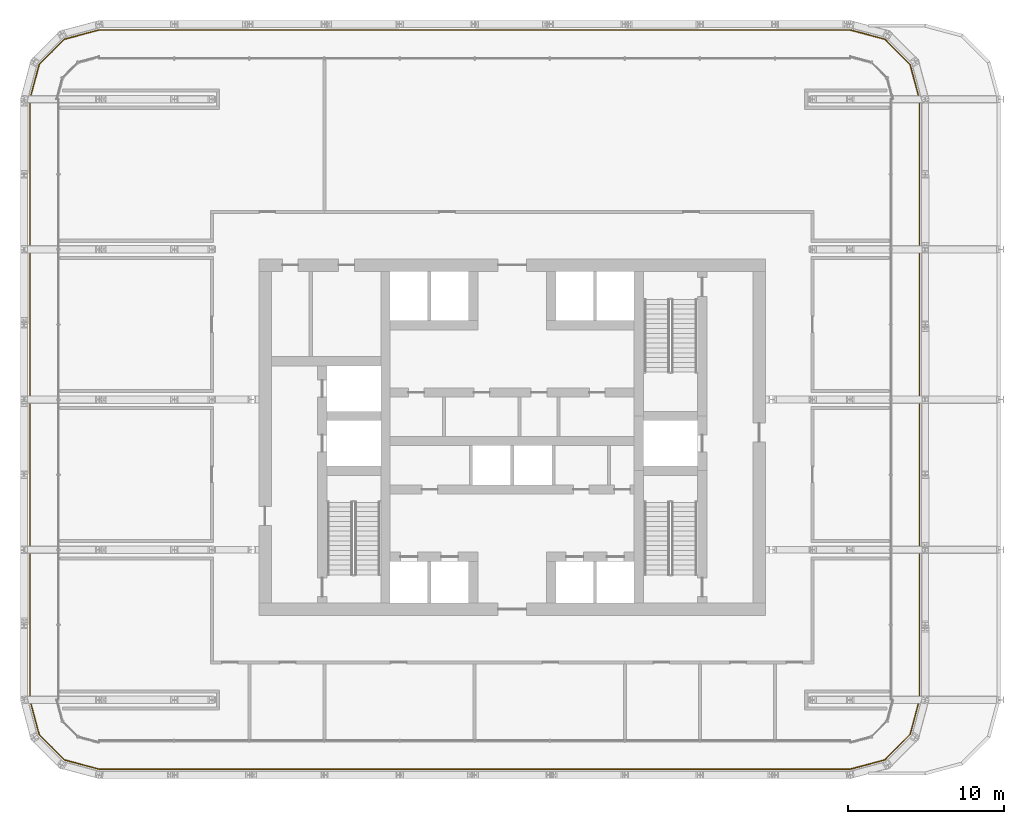
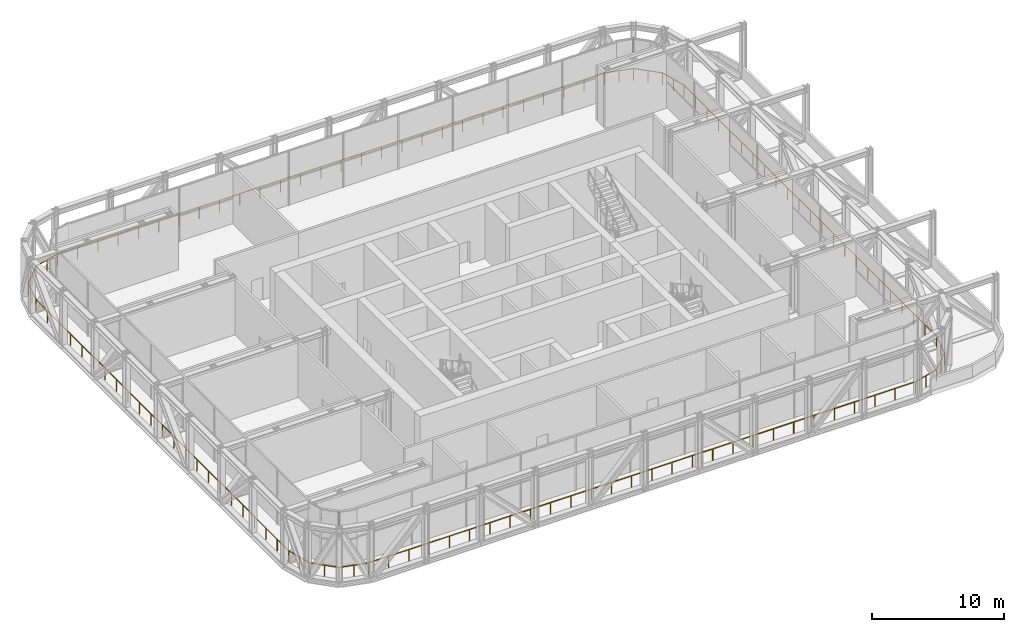
# One storey, part 21 of 25: 2 railings.
"""IFC4 building model written with IfcOpenShell, lengths in metres."""

from ifc_helpers import new_model, si_unit, direction, frame, origin, origin_2d, place, context, subcontext, project, spatial, circle, extrude, material, type_object, element, save


model = new_model("IFC4")

# Units and contexts
model_context = context("Model", 3, precision=1e-05, world=origin(), true_north=direction((0.0, 1.0)))
body_context = subcontext(model_context, "Body", "Model", "MODEL_VIEW")
ifc_project = project(units=[si_unit("LENGTHUNIT", "METRE"), si_unit("AREAUNIT", "SQUARE_METRE"), si_unit("VOLUMEUNIT", "CUBIC_METRE"), si_unit("PLANEANGLEUNIT", "RADIAN"), si_unit("MASSUNIT", "GRAM", prefix="KILO")], contexts=[model_context])

# Site, building, storey
site_placement = place(None, origin())
site = spatial("IfcSite", under=ifc_project, at=site_placement, CompositionType="ELEMENT")
building_placement = place(site_placement, origin())
building = spatial("IfcBuilding", under=site, at=building_placement, Name="Madar Terraces", CompositionType="ELEMENT")
storey_placement = place(building_placement, frame((0.0, 0.0, 113.699951171875)))
storey = spatial("IfcBuildingStorey", under=building, at=storey_placement, Name="L29", CompositionType="ELEMENT", Elevation=113.699951171875)

# Railings
ifc_material = material(Name="Glass, safety glazing, with stainless steel posts", Category="steel")
railing_type = type_object("IfcRailingType", Name="Balcony glass guard 1100", PredefinedType="GUARDRAIL", material=ifc_material)
railing_1_placement = place(storey_placement, frame((52.800048828125, 5.1708984375, 0.0)))
element("IfcRailing", 1, at=railing_1_placement, inside=storey, type_object=railing_type, Name="Gallery guard", PredefinedType="GUARDRAIL", context=body_context, shape_type="SweptSolid", body=[
    extrude(circle(Radius=0.02392578125, at=origin_2d()), frame((0.0, 0.0, 1.076171875), z_axis=(0.965907165247, 0.25888867902, 0.0), x_axis=(-0.25888867902, 0.965907165247, 0.0)), (0.0, 0.0, 1.0), 2.29248046875),
    extrude(circle(Radius=0.02392578125, at=origin_2d()), frame((2.21435546875, 0.593505859375, 1.076171875), z_axis=(0.707106781187, 0.707106781187, 0.0), x_axis=(-0.707106781187, 0.707106781187, 0.0)), (0.0, 0.0, 1.0), 2.29248046875),
    extrude(circle(Radius=0.02392578125, at=origin_2d()), frame((3.83544921875, 2.214599609375, 1.076171875), z_axis=(0.258862051331, 0.965914301779, 0.0), x_axis=(-0.965914301779, 0.258862051331, 0.0)), (0.0, 0.0, 1.0), 2.292724609375),
    extrude(circle(Radius=0.02392578125, at=origin_2d()), frame((4.428955078125, 4.42919921875, 1.076171875), z_axis=(0.0, 1.0, 0.0), x_axis=(-1.0, 0.0, 0.0)), (0.0, 0.0, 1.0), 38.39990234375),
    extrude(circle(Radius=0.02392578125, at=origin_2d()), frame((4.428955078125, 42.8291015625, 1.076171875), z_axis=(-0.258862051331, 0.965914301779, 0.0), x_axis=(-0.965914301779, -0.258862051331, 0.0)), (0.0, 0.0, 1.0), 2.292724609375),
    extrude(circle(Radius=0.02392578125, at=origin_2d()), frame((3.83544921875, 45.043701171875, 1.076171875), z_axis=(-0.707106781187, 0.707106781187, 0.0), x_axis=(-0.707106781187, -0.707106781187, 0.0)), (0.0, 0.0, 1.0), 2.29248046875),
    extrude(circle(Radius=0.02392578125, at=origin_2d()), frame((2.21435546875, 46.664794921875, 1.076171875), z_axis=(-0.9659337912, 0.258789317819, 0.0), x_axis=(-0.258789317819, -0.9659337912, 0.0)), (0.0, 0.0, 1.0), 2.29248046875),
    extrude(circle(Radius=0.02392578125, at=origin_2d()), frame((0.0, 47.258056640625, 1.076171875), z_axis=(-1.0, 0.0, 0.0), x_axis=(0.0, -1.0, 0.0)), (0.0, 0.0, 1.0), 48.0),
    extrude(circle(Radius=0.02099609375, at=origin_2d()), origin(), (0.0, 0.0, 1.0), 1.052001953125),
    extrude(circle(Radius=0.02099609375, at=origin_2d()), frame((1.107177734375, 0.296875, 0.0)), (0.0, 0.0, 1.0), 1.052001953125),
    extrude(circle(Radius=0.02099609375, at=origin_2d()), frame((2.21435546875, 0.593505859375, 0.0)), (0.0, 0.0, 1.0), 1.052001953125),
    extrude(circle(Radius=0.02099609375, at=origin_2d()), frame((3.02490234375, 1.404052734375, 0.0)), (0.0, 0.0, 1.0), 1.052001953125),
    extrude(circle(Radius=0.02099609375, at=origin_2d()), frame((3.83544921875, 2.214599609375, 0.0)), (0.0, 0.0, 1.0), 1.052001953125),
    extrude(circle(Radius=0.02099609375, at=origin_2d()), frame((4.13232421875, 3.32177734375, 0.0)), (0.0, 0.0, 1.0), 1.052001953125),
    extrude(circle(Radius=0.02099609375, at=origin_2d()), frame((4.428955078125, 4.42919921875, 0.0)), (0.0, 0.0, 1.0), 1.052001953125),
    extrude(circle(Radius=0.02099609375, at=origin_2d()), frame((4.428955078125, 6.174560546875, 0.0)), (0.0, 0.0, 1.0), 1.052001953125),
    extrude(circle(Radius=0.02099609375, at=origin_2d()), frame((4.428955078125, 7.920166015625, 0.0)), (0.0, 0.0, 1.0), 1.052001953125),
    extrude(circle(Radius=0.02099609375, at=origin_2d()), frame((4.428955078125, 9.66552734375, 0.0)), (0.0, 0.0, 1.0), 1.052001953125),
    extrude(circle(Radius=0.02099609375, at=origin_2d()), frame((4.428955078125, 11.410888671875, 0.0)), (0.0, 0.0, 1.0), 1.052001953125),
    extrude(circle(Radius=0.02099609375, at=origin_2d()), frame((4.428955078125, 13.156494140625, 0.0)), (0.0, 0.0, 1.0), 1.052001953125),
    extrude(circle(Radius=0.02099609375, at=origin_2d()), frame((4.428955078125, 14.90185546875, 0.0)), (0.0, 0.0, 1.0), 1.052001953125),
    extrude(circle(Radius=0.02099609375, at=origin_2d()), frame((4.428955078125, 16.6474609375, 0.0)), (0.0, 0.0, 1.0), 1.052001953125),
    extrude(circle(Radius=0.02099609375, at=origin_2d()), frame((4.428955078125, 18.392822265625, 0.0)), (0.0, 0.0, 1.0), 1.052001953125),
    extrude(circle(Radius=0.02099609375, at=origin_2d()), frame((4.428955078125, 20.13818359375, 0.0)), (0.0, 0.0, 1.0), 1.052001953125),
    extrude(circle(Radius=0.02099609375, at=origin_2d()), frame((4.428955078125, 21.8837890625, 0.0)), (0.0, 0.0, 1.0), 1.052001953125),
    extrude(circle(Radius=0.02099609375, at=origin_2d()), frame((4.428955078125, 23.629150390625, 0.0)), (0.0, 0.0, 1.0), 1.052001953125),
    extrude(circle(Radius=0.02099609375, at=origin_2d()), frame((4.428955078125, 25.37451171875, 0.0)), (0.0, 0.0, 1.0), 1.052001953125),
    extrude(circle(Radius=0.02099609375, at=origin_2d()), frame((4.428955078125, 27.1201171875, 0.0)), (0.0, 0.0, 1.0), 1.052001953125),
    extrude(circle(Radius=0.02099609375, at=origin_2d()), frame((4.428955078125, 28.865478515625, 0.0)), (0.0, 0.0, 1.0), 1.052001953125),
    extrude(circle(Radius=0.02099609375, at=origin_2d()), frame((4.428955078125, 30.61083984375, 0.0)), (0.0, 0.0, 1.0), 1.052001953125),
    extrude(circle(Radius=0.02099609375, at=origin_2d()), frame((4.428955078125, 32.3564453125, 0.0)), (0.0, 0.0, 1.0), 1.052001953125),
    extrude(circle(Radius=0.02099609375, at=origin_2d()), frame((4.428955078125, 34.101806640625, 0.0)), (0.0, 0.0, 1.0), 1.052001953125),
    extrude(circle(Radius=0.02099609375, at=origin_2d()), frame((4.428955078125, 35.847412109375, 0.0)), (0.0, 0.0, 1.0), 1.052001953125),
    extrude(circle(Radius=0.02099609375, at=origin_2d()), frame((4.428955078125, 37.5927734375, 0.0)), (0.0, 0.0, 1.0), 1.052001953125),
    extrude(circle(Radius=0.02099609375, at=origin_2d()), frame((4.428955078125, 39.338134765625, 0.0)), (0.0, 0.0, 1.0), 1.052001953125),
    extrude(circle(Radius=0.02099609375, at=origin_2d()), frame((4.428955078125, 41.083740234375, 0.0)), (0.0, 0.0, 1.0), 1.052001953125),
    extrude(circle(Radius=0.02099609375, at=origin_2d()), frame((4.428955078125, 42.8291015625, 0.0)), (0.0, 0.0, 1.0), 1.052001953125),
    extrude(circle(Radius=0.02099609375, at=origin_2d()), frame((4.13232421875, 43.9365234375, 0.0)), (0.0, 0.0, 1.0), 1.052001953125),
    extrude(circle(Radius=0.02099609375, at=origin_2d()), frame((3.83544921875, 45.043701171875, 0.0)), (0.0, 0.0, 1.0), 1.052001953125),
    extrude(circle(Radius=0.02099609375, at=origin_2d()), frame((3.02490234375, 45.854248046875, 0.0)), (0.0, 0.0, 1.0), 1.052001953125),
    extrude(circle(Radius=0.02099609375, at=origin_2d()), frame((2.21435546875, 46.664794921875, 0.0)), (0.0, 0.0, 1.0), 1.052001953125),
    extrude(circle(Radius=0.02099609375, at=origin_2d()), frame((1.107177734375, 46.96142578125, 0.0)), (0.0, 0.0, 1.0), 1.052001953125),
    extrude(circle(Radius=0.02099609375, at=origin_2d()), frame((0.0, 47.258056640625, 0.0)), (0.0, 0.0, 1.0), 1.052001953125),
    extrude(circle(Radius=0.02099609375, at=origin_2d()), frame((-1.77783203125, 47.258056640625, 0.0)), (0.0, 0.0, 1.0), 1.052001953125),
    extrude(circle(Radius=0.02099609375, at=origin_2d()), frame((-3.5556640625, 47.258056640625, 0.0)), (0.0, 0.0, 1.0), 1.052001953125),
    extrude(circle(Radius=0.02099609375, at=origin_2d()), frame((-5.333251953125, 47.258056640625, 0.0)), (0.0, 0.0, 1.0), 1.052001953125),
    extrude(circle(Radius=0.02099609375, at=origin_2d()), frame((-7.111083984375, 47.258056640625, 0.0)), (0.0, 0.0, 1.0), 1.052001953125),
    extrude(circle(Radius=0.02099609375, at=origin_2d()), frame((-8.888916015625, 47.258056640625, 0.0)), (0.0, 0.0, 1.0), 1.052001953125),
    extrude(circle(Radius=0.02099609375, at=origin_2d()), frame((-10.666748046875, 47.258056640625, 0.0)), (0.0, 0.0, 1.0), 1.052001953125),
    extrude(circle(Radius=0.02099609375, at=origin_2d()), frame((-12.4443359375, 47.258056640625, 0.0)), (0.0, 0.0, 1.0), 1.052001953125),
    extrude(circle(Radius=0.02099609375, at=origin_2d()), frame((-14.22216796875, 47.258056640625, 0.0)), (0.0, 0.0, 1.0), 1.052001953125),
    extrude(circle(Radius=0.02099609375, at=origin_2d()), frame((-16.0, 47.258056640625, 0.0)), (0.0, 0.0, 1.0), 1.052001953125),
    extrude(circle(Radius=0.02099609375, at=origin_2d()), frame((-17.77783203125, 47.258056640625, 0.0)), (0.0, 0.0, 1.0), 1.052001953125),
    extrude(circle(Radius=0.02099609375, at=origin_2d()), frame((-19.5556640625, 47.258056640625, 0.0)), (0.0, 0.0, 1.0), 1.052001953125),
    extrude(circle(Radius=0.02099609375, at=origin_2d()), frame((-21.333251953125, 47.258056640625, 0.0)), (0.0, 0.0, 1.0), 1.052001953125),
    extrude(circle(Radius=0.02099609375, at=origin_2d()), frame((-23.111083984375, 47.258056640625, 0.0)), (0.0, 0.0, 1.0), 1.052001953125),
    extrude(circle(Radius=0.02099609375, at=origin_2d()), frame((-24.888916015625, 47.258056640625, 0.0)), (0.0, 0.0, 1.0), 1.052001953125),
    extrude(circle(Radius=0.02099609375, at=origin_2d()), frame((-26.666748046875, 47.258056640625, 0.0)), (0.0, 0.0, 1.0), 1.052001953125),
    extrude(circle(Radius=0.02099609375, at=origin_2d()), frame((-28.4443359375, 47.258056640625, 0.0)), (0.0, 0.0, 1.0), 1.052001953125),
    extrude(circle(Radius=0.02099609375, at=origin_2d()), frame((-30.22216796875, 47.258056640625, 0.0)), (0.0, 0.0, 1.0), 1.052001953125),
    extrude(circle(Radius=0.02099609375, at=origin_2d()), frame((-32.0, 47.258056640625, 0.0)), (0.0, 0.0, 1.0), 1.052001953125),
    extrude(circle(Radius=0.02099609375, at=origin_2d()), frame((-33.77783203125, 47.258056640625, 0.0)), (0.0, 0.0, 1.0), 1.052001953125),
    extrude(circle(Radius=0.02099609375, at=origin_2d()), frame((-35.5556640625, 47.258056640625, 0.0)), (0.0, 0.0, 1.0), 1.052001953125),
    extrude(circle(Radius=0.02099609375, at=origin_2d()), frame((-37.333251953125, 47.258056640625, 0.0)), (0.0, 0.0, 1.0), 1.052001953125),
    extrude(circle(Radius=0.02099609375, at=origin_2d()), frame((-39.111083984375, 47.258056640625, 0.0)), (0.0, 0.0, 1.0), 1.052001953125),
    extrude(circle(Radius=0.02099609375, at=origin_2d()), frame((-40.888916015625, 47.258056640625, 0.0)), (0.0, 0.0, 1.0), 1.052001953125),
    extrude(circle(Radius=0.02099609375, at=origin_2d()), frame((-42.666748046875, 47.258056640625, 0.0)), (0.0, 0.0, 1.0), 1.052001953125),
    extrude(circle(Radius=0.02099609375, at=origin_2d()), frame((-44.4443359375, 47.258056640625, 0.0)), (0.0, 0.0, 1.0), 1.052001953125),
    extrude(circle(Radius=0.02099609375, at=origin_2d()), frame((-46.22216796875, 47.258056640625, 0.0)), (0.0, 0.0, 1.0), 1.052001953125),
    extrude(circle(Radius=0.02099609375, at=origin_2d()), frame((-48.0, 47.258056640625, 0.0)), (0.0, 0.0, 1.0), 1.052001953125),
])
railing_2_placement = place(storey_placement, frame((4.800048828125, 52.428955078125, 0.0)))
element("IfcRailing", 2, at=railing_2_placement, inside=storey, type_object=railing_type, Name="Gallery guard", PredefinedType="GUARDRAIL", context=body_context, shape_type="SweptSolid", body=[
    extrude(circle(Radius=0.02392578125, at=origin_2d()), frame((0.0, 0.0, 1.076171875), z_axis=(-0.965940922452, -0.258762698882, 0.0), x_axis=(0.258762698882, -0.965940922452, 0.0)), (0.0, 0.0, 1.0), 2.292724609375),
    extrude(circle(Radius=0.02392578125, at=origin_2d()), frame((-2.214599609375, -0.59326171875, 1.076171875), z_axis=(-0.707106781187, -0.707106781187, 0.0), x_axis=(0.707106781187, -0.707106781187, 0.0)), (0.0, 0.0, 1.0), 2.29248046875),
    extrude(circle(Radius=0.02392578125, at=origin_2d()), frame((-3.835693359375, -2.21435546875, 1.076171875), z_axis=(-0.258762698882, -0.965940922452, 0.0), x_axis=(0.965940922452, -0.258762698882, 0.0)), (0.0, 0.0, 1.0), 2.292724609375),
    extrude(circle(Radius=0.02392578125, at=origin_2d()), frame((-4.428955078125, -4.428955078125, 1.076171875), z_axis=(0.0, -1.0, 0.0), x_axis=(1.0, 0.0, 0.0)), (0.0, 0.0, 1.0), 38.39990234375),
    extrude(circle(Radius=0.02392578125, at=origin_2d()), frame((-4.428955078125, -42.828857421875, 1.076171875), z_axis=(0.258762698882, -0.965940922452, 0.0), x_axis=(0.965940922452, 0.258762698882, 0.0)), (0.0, 0.0, 1.0), 2.292724609375),
    extrude(circle(Radius=0.02392578125, at=origin_2d()), frame((-3.835693359375, -45.04345703125, 1.076171875), z_axis=(0.707106781187, -0.707106781187, 0.0), x_axis=(0.707106781187, 0.707106781187, 0.0)), (0.0, 0.0, 1.0), 2.29248046875),
    extrude(circle(Radius=0.02392578125, at=origin_2d()), frame((-2.214599609375, -46.66455078125, 1.076171875), z_axis=(0.965914301779, -0.258862051331, 0.0), x_axis=(0.258862051331, 0.965914301779, 0.0)), (0.0, 0.0, 1.0), 2.292724609375),
    extrude(circle(Radius=0.02392578125, at=origin_2d()), frame((0.0, -47.258056640625, 1.076171875), z_axis=(1.0, 0.0, 0.0), x_axis=(0.0, 1.0, 0.0)), (0.0, 0.0, 1.0), 48.0),
    extrude(circle(Radius=0.02099609375, at=origin_2d()), origin(), (0.0, 0.0, 1.0), 1.052001953125),
    extrude(circle(Radius=0.02099609375, at=origin_2d()), frame((-1.107421875, -0.296630859375, 0.0)), (0.0, 0.0, 1.0), 1.052001953125),
    extrude(circle(Radius=0.02099609375, at=origin_2d()), frame((-2.214599609375, -0.59326171875, 0.0)), (0.0, 0.0, 1.0), 1.052001953125),
    extrude(circle(Radius=0.02099609375, at=origin_2d()), frame((-3.025146484375, -1.40380859375, 0.0)), (0.0, 0.0, 1.0), 1.052001953125),
    extrude(circle(Radius=0.02099609375, at=origin_2d()), frame((-3.835693359375, -2.21435546875, 0.0)), (0.0, 0.0, 1.0), 1.052001953125),
    extrude(circle(Radius=0.02099609375, at=origin_2d()), frame((-4.13232421875, -3.32177734375, 0.0)), (0.0, 0.0, 1.0), 1.052001953125),
    extrude(circle(Radius=0.02099609375, at=origin_2d()), frame((-4.428955078125, -4.428955078125, 0.0)), (0.0, 0.0, 1.0), 1.052001953125),
    extrude(circle(Radius=0.02099609375, at=origin_2d()), frame((-4.428955078125, -6.17431640625, 0.0)), (0.0, 0.0, 1.0), 1.052001953125),
    extrude(circle(Radius=0.02099609375, at=origin_2d()), frame((-4.428955078125, -7.919921875, 0.0)), (0.0, 0.0, 1.0), 1.052001953125),
    extrude(circle(Radius=0.02099609375, at=origin_2d()), frame((-4.428955078125, -9.665283203125, 0.0)), (0.0, 0.0, 1.0), 1.052001953125),
    extrude(circle(Radius=0.02099609375, at=origin_2d()), frame((-4.428955078125, -11.41064453125, 0.0)), (0.0, 0.0, 1.0), 1.052001953125),
    extrude(circle(Radius=0.02099609375, at=origin_2d()), frame((-4.428955078125, -13.15625, 0.0)), (0.0, 0.0, 1.0), 1.052001953125),
    extrude(circle(Radius=0.02099609375, at=origin_2d()), frame((-4.428955078125, -14.901611328125, 0.0)), (0.0, 0.0, 1.0), 1.052001953125),
    extrude(circle(Radius=0.02099609375, at=origin_2d()), frame((-4.428955078125, -16.647216796875, 0.0)), (0.0, 0.0, 1.0), 1.052001953125),
    extrude(circle(Radius=0.02099609375, at=origin_2d()), frame((-4.428955078125, -18.392578125, 0.0)), (0.0, 0.0, 1.0), 1.052001953125),
    extrude(circle(Radius=0.02099609375, at=origin_2d()), frame((-4.428955078125, -20.137939453125, 0.0)), (0.0, 0.0, 1.0), 1.052001953125),
    extrude(circle(Radius=0.02099609375, at=origin_2d()), frame((-4.428955078125, -21.883544921875, 0.0)), (0.0, 0.0, 1.0), 1.052001953125),
    extrude(circle(Radius=0.02099609375, at=origin_2d()), frame((-4.428955078125, -23.62890625, 0.0)), (0.0, 0.0, 1.0), 1.052001953125),
    extrude(circle(Radius=0.02099609375, at=origin_2d()), frame((-4.428955078125, -25.374267578125, 0.0)), (0.0, 0.0, 1.0), 1.052001953125),
    extrude(circle(Radius=0.02099609375, at=origin_2d()), frame((-4.428955078125, -27.119873046875, 0.0)), (0.0, 0.0, 1.0), 1.052001953125),
    extrude(circle(Radius=0.02099609375, at=origin_2d()), frame((-4.428955078125, -28.865234375, 0.0)), (0.0, 0.0, 1.0), 1.052001953125),
    extrude(circle(Radius=0.02099609375, at=origin_2d()), frame((-4.428955078125, -30.610595703125, 0.0)), (0.0, 0.0, 1.0), 1.052001953125),
    extrude(circle(Radius=0.02099609375, at=origin_2d()), frame((-4.428955078125, -32.356201171875, 0.0)), (0.0, 0.0, 1.0), 1.052001953125),
    extrude(circle(Radius=0.02099609375, at=origin_2d()), frame((-4.428955078125, -34.1015625, 0.0)), (0.0, 0.0, 1.0), 1.052001953125),
    extrude(circle(Radius=0.02099609375, at=origin_2d()), frame((-4.428955078125, -35.84716796875, 0.0)), (0.0, 0.0, 1.0), 1.052001953125),
    extrude(circle(Radius=0.02099609375, at=origin_2d()), frame((-4.428955078125, -37.592529296875, 0.0)), (0.0, 0.0, 1.0), 1.052001953125),
    extrude(circle(Radius=0.02099609375, at=origin_2d()), frame((-4.428955078125, -39.337890625, 0.0)), (0.0, 0.0, 1.0), 1.052001953125),
    extrude(circle(Radius=0.02099609375, at=origin_2d()), frame((-4.428955078125, -41.08349609375, 0.0)), (0.0, 0.0, 1.0), 1.052001953125),
    extrude(circle(Radius=0.02099609375, at=origin_2d()), frame((-4.428955078125, -42.828857421875, 0.0)), (0.0, 0.0, 1.0), 1.052001953125),
    extrude(circle(Radius=0.02099609375, at=origin_2d()), frame((-4.13232421875, -43.93603515625, 0.0)), (0.0, 0.0, 1.0), 1.052001953125),
    extrude(circle(Radius=0.02099609375, at=origin_2d()), frame((-3.835693359375, -45.04345703125, 0.0)), (0.0, 0.0, 1.0), 1.052001953125),
    extrude(circle(Radius=0.02099609375, at=origin_2d()), frame((-3.025146484375, -45.85400390625, 0.0)), (0.0, 0.0, 1.0), 1.052001953125),
    extrude(circle(Radius=0.02099609375, at=origin_2d()), frame((-2.214599609375, -46.66455078125, 0.0)), (0.0, 0.0, 1.0), 1.052001953125),
    extrude(circle(Radius=0.02099609375, at=origin_2d()), frame((-1.107421875, -46.96142578125, 0.0)), (0.0, 0.0, 1.0), 1.052001953125),
    extrude(circle(Radius=0.02099609375, at=origin_2d()), frame((0.0, -47.258056640625, 0.0)), (0.0, 0.0, 1.0), 1.052001953125),
    extrude(circle(Radius=0.02099609375, at=origin_2d()), frame((1.77783203125, -47.258056640625, 0.0)), (0.0, 0.0, 1.0), 1.052001953125),
    extrude(circle(Radius=0.02099609375, at=origin_2d()), frame((3.5556640625, -47.258056640625, 0.0)), (0.0, 0.0, 1.0), 1.052001953125),
    extrude(circle(Radius=0.02099609375, at=origin_2d()), frame((5.333251953125, -47.258056640625, 0.0)), (0.0, 0.0, 1.0), 1.052001953125),
    extrude(circle(Radius=0.02099609375, at=origin_2d()), frame((7.111083984375, -47.258056640625, 0.0)), (0.0, 0.0, 1.0), 1.052001953125),
    extrude(circle(Radius=0.02099609375, at=origin_2d()), frame((8.888916015625, -47.258056640625, 0.0)), (0.0, 0.0, 1.0), 1.052001953125),
    extrude(circle(Radius=0.02099609375, at=origin_2d()), frame((10.666748046875, -47.258056640625, 0.0)), (0.0, 0.0, 1.0), 1.052001953125),
    extrude(circle(Radius=0.02099609375, at=origin_2d()), frame((12.4443359375, -47.258056640625, 0.0)), (0.0, 0.0, 1.0), 1.052001953125),
    extrude(circle(Radius=0.02099609375, at=origin_2d()), frame((14.22216796875, -47.258056640625, 0.0)), (0.0, 0.0, 1.0), 1.052001953125),
    extrude(circle(Radius=0.02099609375, at=origin_2d()), frame((16.0, -47.258056640625, 0.0)), (0.0, 0.0, 1.0), 1.052001953125),
    extrude(circle(Radius=0.02099609375, at=origin_2d()), frame((17.77783203125, -47.258056640625, 0.0)), (0.0, 0.0, 1.0), 1.052001953125),
    extrude(circle(Radius=0.02099609375, at=origin_2d()), frame((19.5556640625, -47.258056640625, 0.0)), (0.0, 0.0, 1.0), 1.052001953125),
    extrude(circle(Radius=0.02099609375, at=origin_2d()), frame((21.333251953125, -47.258056640625, 0.0)), (0.0, 0.0, 1.0), 1.052001953125),
    extrude(circle(Radius=0.02099609375, at=origin_2d()), frame((23.111083984375, -47.258056640625, 0.0)), (0.0, 0.0, 1.0), 1.052001953125),
    extrude(circle(Radius=0.02099609375, at=origin_2d()), frame((24.888916015625, -47.258056640625, 0.0)), (0.0, 0.0, 1.0), 1.052001953125),
    extrude(circle(Radius=0.02099609375, at=origin_2d()), frame((26.666748046875, -47.258056640625, 0.0)), (0.0, 0.0, 1.0), 1.052001953125),
    extrude(circle(Radius=0.02099609375, at=origin_2d()), frame((28.4443359375, -47.258056640625, 0.0)), (0.0, 0.0, 1.0), 1.052001953125),
    extrude(circle(Radius=0.02099609375, at=origin_2d()), frame((30.22216796875, -47.258056640625, 0.0)), (0.0, 0.0, 1.0), 1.052001953125),
    extrude(circle(Radius=0.02099609375, at=origin_2d()), frame((32.0, -47.258056640625, 0.0)), (0.0, 0.0, 1.0), 1.052001953125),
    extrude(circle(Radius=0.02099609375, at=origin_2d()), frame((33.77783203125, -47.258056640625, 0.0)), (0.0, 0.0, 1.0), 1.052001953125),
    extrude(circle(Radius=0.02099609375, at=origin_2d()), frame((35.5556640625, -47.258056640625, 0.0)), (0.0, 0.0, 1.0), 1.052001953125),
    extrude(circle(Radius=0.02099609375, at=origin_2d()), frame((37.333251953125, -47.258056640625, 0.0)), (0.0, 0.0, 1.0), 1.052001953125),
    extrude(circle(Radius=0.02099609375, at=origin_2d()), frame((39.111083984375, -47.258056640625, 0.0)), (0.0, 0.0, 1.0), 1.052001953125),
    extrude(circle(Radius=0.02099609375, at=origin_2d()), frame((40.888916015625, -47.258056640625, 0.0)), (0.0, 0.0, 1.0), 1.052001953125),
    extrude(circle(Radius=0.02099609375, at=origin_2d()), frame((42.666748046875, -47.258056640625, 0.0)), (0.0, 0.0, 1.0), 1.052001953125),
    extrude(circle(Radius=0.02099609375, at=origin_2d()), frame((44.4443359375, -47.258056640625, 0.0)), (0.0, 0.0, 1.0), 1.052001953125),
    extrude(circle(Radius=0.02099609375, at=origin_2d()), frame((46.22216796875, -47.258056640625, 0.0)), (0.0, 0.0, 1.0), 1.052001953125),
    extrude(circle(Radius=0.02099609375, at=origin_2d()), frame((48.0, -47.258056640625, 0.0)), (0.0, 0.0, 1.0), 1.052001953125),
])

save(model, "model.ifc")
